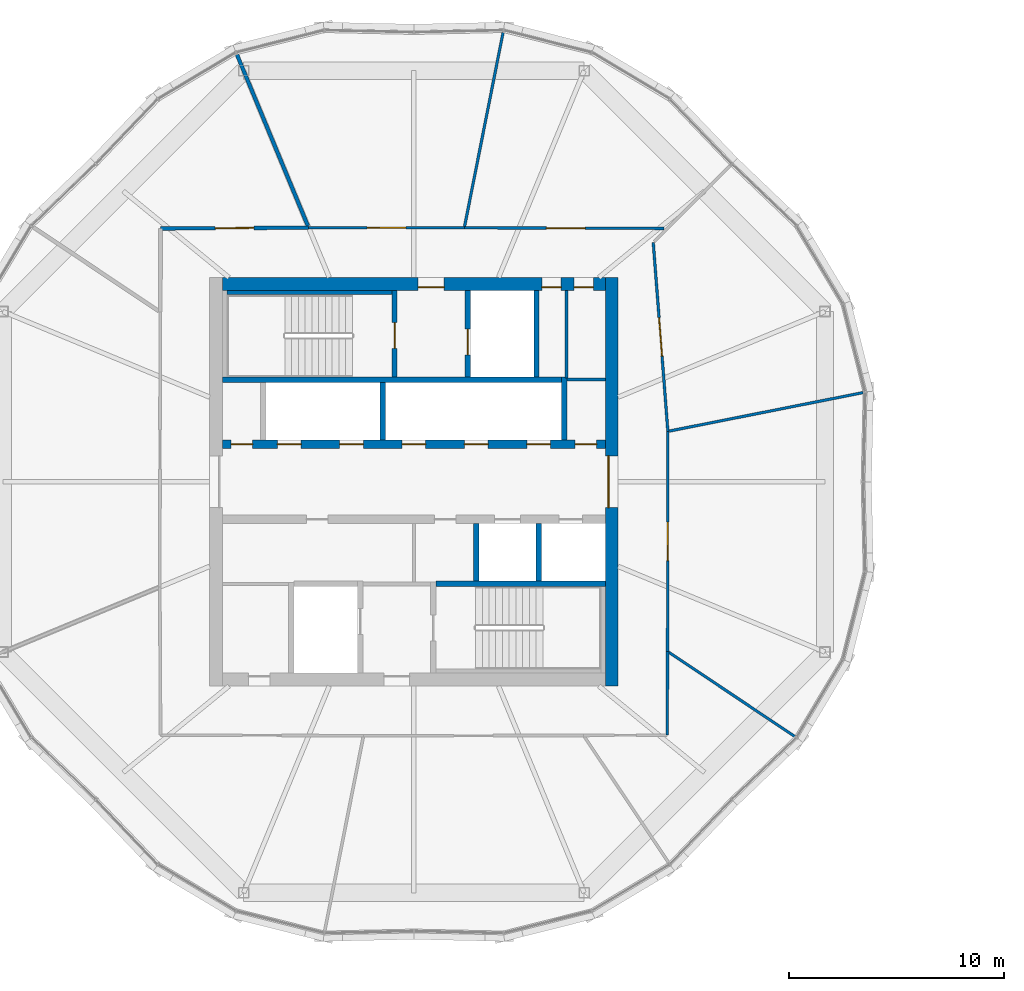
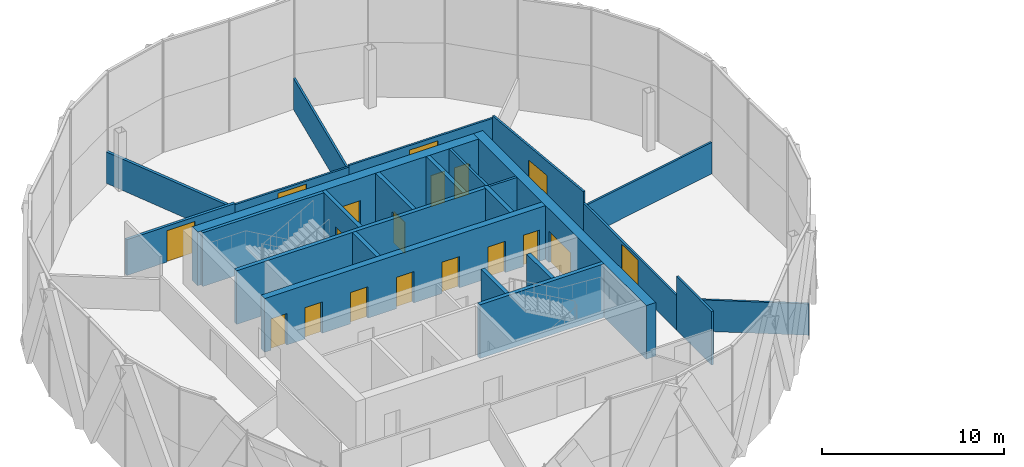
# One storey, part 19 of 26: 25 walls, 18 doors, 18 openings.
"""IFC4 building model written with IfcOpenShell, lengths in metres."""

from ifc_helpers import new_model, si_unit, direction, frame, frame_2d, origin, place, context, subcontext, project, spatial, rectangle, extrude, material, layer, layer_set, type_object, element, fill, save


model = new_model("IFC4")

# Units and contexts
model_context = context("Model", 3, precision=1e-05, world=origin(), true_north=direction((0.0, 1.0)))
body_context = subcontext(model_context, "Body", "Model", "MODEL_VIEW")
ifc_project = project(units=[si_unit("LENGTHUNIT", "METRE"), si_unit("AREAUNIT", "SQUARE_METRE"), si_unit("VOLUMEUNIT", "CUBIC_METRE"), si_unit("PLANEANGLEUNIT", "RADIAN"), si_unit("MASSUNIT", "GRAM", prefix="KILO")], contexts=[model_context])

# Site, building, storey
site_placement = place(None, origin())
site = spatial("IfcSite", under=ifc_project, at=site_placement, CompositionType="ELEMENT")
building_placement = place(site_placement, origin())
building = spatial("IfcBuilding", under=site, at=building_placement, Name="Ogive Gate Towers", CompositionType="ELEMENT")
storey_placement = place(building_placement, frame((0.0, 0.0, 208.5)))
storey = spatial("IfcBuildingStorey", under=building, at=storey_placement, Name="L50", CompositionType="ELEMENT", Elevation=208.5)

# Wall
ifc_material_1 = material(Name="Gypsum board acoustic partition")
ifc_layer_1 = layer(ifc_material_1, 0.175048828125)
ifc_layer_set_1 = layer_set([ifc_layer_1], Name="Acoustic partition 175")
wall_type_1 = type_object("IfcWallType", Name="Acoustic partition 175", PredefinedType="PARTITIONING", material=ifc_layer_set_1)
wall_1_placement = place(storey_placement, frame((-44.263427734375, 19.949462890625, 0.0), z_axis=(0.0, 0.0, 1.0), x_axis=(0.382684990013, -0.923878887311, 0.0)))
element("IfcWall", 1, at=wall_1_placement, inside=storey, type_object=wall_type_1, Name="Partition T1-L50-004", PredefinedType="PARTITIONING", context=body_context, shape_type="SweptSolid", body=[
    extrude(rectangle(XDim=8.714599609375, YDim=0.175048828125, at=frame_2d((4.357421875, 0.0))), origin(), (0.0, 0.0, 1.0), 2.10009765625),
])

# Wall, opening, door
wall_2_placement = place(storey_placement, frame((-40.89501953125, 11.8173828125, 0.0), z_axis=(0.0, 0.0, 1.0), x_axis=(-0.99998528317, -0.005425259683, 0.0)))
wall_2 = element("IfcWall", 2, at=wall_2_placement, inside=storey, type_object=wall_type_1, Name="Partition T1-L50-014", PredefinedType="PARTITIONING", context=body_context, shape_type="SweptSolid", body=[
    extrude(rectangle(XDim=6.885009765625, YDim=0.175048828125, at=frame_2d((3.4423828125, 0.0))), origin(), (0.0, 0.0, 1.0), 2.39990234375),
])
opening_1_placement = place(wall_2_placement, frame((2.54296875, 0.0, 0.0)))
opening_1 = element("IfcOpeningElement", 3, at=opening_1_placement, cuts=wall_2, Name="Opening T1-L50-D05", PredefinedType="OPENING", context=body_context, shape_type="SweptSolid", body=[
    extrude(rectangle(XDim=1.800048828125, YDim=2.10009765625, at=frame_2d((0.89990234375, 1.050048828125))), frame((0.0, 0.09765625, 0.0), z_axis=(0.0, -1.0, 0.0), x_axis=(1.0, 0.0, 0.0)), (0.0, 0.0, 1.0), 0.195068359375),
])
ifc_material_2 = material(Name="Timber door", Category="wood")
door_type_1 = type_object("IfcDoorType", Name="Door pair 1800", OperationType="NOTDEFINED", PredefinedType="DOOR", material=ifc_material_2)
door_1_placement = place(opening_1_placement, origin())
door_1 = element("IfcDoor", 4, at=door_1_placement, inside=storey, type_object=door_type_1, Name="Door T1-L50-D05", OperationType="DOUBLE_DOOR_DOUBLE_SWING", OverallHeight=2.10009765625, OverallWidth=1.800048828125, PredefinedType="DOOR", context=body_context, shape_type="SweptSolid", body=[
    extrude(rectangle(XDim=1.800048828125, YDim=2.10009765625, at=frame_2d((0.89990234375, 1.050048828125))), frame((0.0, 0.02490234375, 0.0), z_axis=(0.0, -1.0, 0.0), x_axis=(1.0, 0.0, 0.0)), (0.0, 0.0, 1.0), 0.050048828125),
])
fill(opening_1, door_1)

# Wall, openings, doors
ifc_material_3 = material(Name="Concrete C60/75", Category="concrete")
ifc_layer_2 = layer(ifc_material_3, 0.60009765625)
ifc_layer_set_2 = layer_set([ifc_layer_2], Name="Core wall 600 mm")
wall_type_2 = type_object("IfcWallType", Name="Core wall 600 mm", PredefinedType="SHEAR", material=ifc_layer_set_2)
wall_3_placement = place(storey_placement, frame((-44.89990234375, 9.199951171875, 0.0), z_axis=(0.0, 0.0, 1.0), x_axis=(1.0, 0.0, 0.0)))
wall_3 = element("IfcWall", 5, at=wall_3_placement, inside=storey, type_object=wall_type_2, Name="T1 L50 Core wall 600 mm", PredefinedType="SHEAR", context=body_context, shape_type="SweptSolid", body=[
    extrude(rectangle(XDim=17.7998046875, YDim=0.60009765625, at=frame_2d((8.89990234375, 0.0))), origin(), (0.0, 0.0, 1.0), 3.60009765625),
])
opening_2_placement = place(wall_3_placement, frame((9.10009765625, 0.0, 0.0)))
opening_2 = element("IfcOpeningElement", 6, at=opening_2_placement, cuts=wall_3, Name="Opening KD-T1-L50-18", PredefinedType="OPENING", context=body_context, shape_type="SweptSolid", body=[
    extrude(rectangle(XDim=1.199951171875, YDim=2.10009765625, at=frame_2d((0.60009765625, 1.050048828125))), frame((0.0, 0.31005859375, 0.0), z_axis=(0.0, -1.0, 0.0), x_axis=(1.0, 0.0, 0.0)), (0.0, 0.0, 1.0), 0.6201171875),
])
opening_3_placement = place(wall_3_placement, frame((14.85009765625, 0.0, 0.0)))
opening_3 = element("IfcOpeningElement", 7, at=opening_3_placement, cuts=wall_3, Name="Opening KD-T1-L50-20", PredefinedType="OPENING", context=body_context, shape_type="SweptSolid", body=[
    extrude(rectangle(XDim=0.89990234375, YDim=2.10009765625, at=frame_2d((0.449951171875, 1.050048828125))), frame((0.0, 0.31005859375, 0.0), z_axis=(0.0, -1.0, 0.0), x_axis=(1.0, 0.0, 0.0)), (0.0, 0.0, 1.0), 0.6201171875),
])
opening_4_placement = place(wall_3_placement, frame((16.35009765625, 0.0, 0.0)))
opening_4 = element("IfcOpeningElement", 8, at=opening_4_placement, cuts=wall_3, Name="Opening KD-T1-L50-21", PredefinedType="OPENING", context=body_context, shape_type="SweptSolid", body=[
    extrude(rectangle(XDim=0.89990234375, YDim=2.10009765625, at=frame_2d((0.449951171875, 1.050048828125))), frame((0.0, 0.31005859375, 0.0), z_axis=(0.0, -1.0, 0.0), x_axis=(1.0, 0.0, 0.0)), (0.0, 0.0, 1.0), 0.6201171875),
])
door_type_2 = type_object("IfcDoorType", Name="Core WC door 900 x 2100", OperationType="NOTDEFINED", PredefinedType="DOOR", material=ifc_material_2)
door_2_placement = place(opening_3_placement, origin())
door_2 = element("IfcDoor", 9, at=door_2_placement, inside=storey, type_object=door_type_2, Name="T1 L50 Core door", OperationType="SINGLE_SWING_LEFT", OverallHeight=2.10009765625, OverallWidth=0.89990234375, PredefinedType="DOOR", context=body_context, shape_type="SweptSolid", body=[
    extrude(rectangle(XDim=0.89990234375, YDim=2.10009765625, at=frame_2d((0.449951171875, 1.050048828125))), frame((0.0, -0.125, 0.0), z_axis=(0.0, -1.0, 0.0), x_axis=(1.0, 0.0, 0.0)), (0.0, 0.0, 1.0), 0.050048828125),
])
fill(opening_3, door_2)
door_3_placement = place(opening_4_placement, origin())
door_3 = element("IfcDoor", 10, at=door_3_placement, inside=storey, type_object=door_type_2, Name="T1 L50 Core door", OperationType="SINGLE_SWING_RIGHT", OverallHeight=2.10009765625, OverallWidth=0.89990234375, PredefinedType="DOOR", context=body_context, shape_type="SweptSolid", body=[
    extrude(rectangle(XDim=0.89990234375, YDim=2.10009765625, at=frame_2d((0.449951171875, 1.050048828125))), frame((0.0, -0.125, 0.0), z_axis=(0.0, -1.0, 0.0), x_axis=(1.0, 0.0, 0.0)), (0.0, 0.0, 1.0), 0.050048828125),
])
fill(opening_4, door_3)
ifc_material_4 = material(Name="Steel fire door", Category="steel")
door_type_3 = type_object("IfcDoorType", Name="Core door FD60S 1200 x 2100", OperationType="NOTDEFINED", PredefinedType="DOOR", material=ifc_material_4)
door_4_placement = place(opening_2_placement, origin())
door_4 = element("IfcDoor", 11, at=door_4_placement, inside=storey, type_object=door_type_3, Name="T1 L50 Fire-fighting lobby door", OperationType="SINGLE_SWING_LEFT", OverallHeight=2.10009765625, OverallWidth=1.199951171875, PredefinedType="DOOR", context=body_context, shape_type="SweptSolid", body=[
    extrude(rectangle(XDim=1.199951171875, YDim=2.10009765625, at=frame_2d((0.60009765625, 1.050048828125))), frame((0.0, -0.125, 0.0), z_axis=(0.0, -1.0, 0.0), x_axis=(1.0, 0.0, 0.0)), (0.0, 0.0, 1.0), 0.050048828125),
])
fill(opening_2, door_4)

# Wall, opening, door
wall_4_placement = place(storey_placement, frame((-26.800048828125, -9.5, 0.0), z_axis=(0.0, 0.0, 1.0), x_axis=(0.0, 1.0, 0.0)))
wall_4 = element("IfcWall", 12, at=wall_4_placement, inside=storey, type_object=wall_type_2, Name="T1 L50 Core wall 600 mm", PredefinedType="SHEAR", context=body_context, shape_type="SweptSolid", body=[
    extrude(rectangle(XDim=19.0, YDim=0.60009765625, at=frame_2d((9.5, 0.0))), origin(), (0.0, 0.0, 1.0), 3.60009765625),
])
opening_5_placement = place(wall_4_placement, frame((8.300048828125, 0.0, 0.0)))
opening_5 = element("IfcOpeningElement", 13, at=opening_5_placement, cuts=wall_4, Name="Opening KD-T1-L50-02", PredefinedType="OPENING", context=body_context, shape_type="SweptSolid", body=[
    extrude(rectangle(XDim=2.39990234375, YDim=2.10009765625, at=frame_2d((1.199951171875, 1.050048828125))), frame((0.0, 0.31005859375, 0.0), z_axis=(0.0, -1.0, 0.0), x_axis=(1.0, 0.0, 0.0)), (0.0, 0.0, 1.0), 0.6201171875),
])
door_type_4 = type_object("IfcDoorType", Name="Core double door FD60S 2400 x 2100", OperationType="DOUBLE_DOOR_SINGLE_SWING", PredefinedType="DOOR", material=ifc_material_4)
door_5_placement = place(opening_5_placement, origin())
door_5 = element("IfcDoor", 14, at=door_5_placement, inside=storey, type_object=door_type_4, Name="T1 L50 Core door double", OperationType="DOUBLE_DOOR_SINGLE_SWING", OverallHeight=2.10009765625, OverallWidth=2.39990234375, PredefinedType="DOOR", context=body_context, shape_type="SweptSolid", body=[
    extrude(rectangle(XDim=2.39990234375, YDim=2.10009765625, at=frame_2d((1.199951171875, 1.050048828125))), frame((0.0, 0.1748046875, 0.0), z_axis=(0.0, -1.0, 0.0), x_axis=(1.0, 0.0, 0.0)), (0.0, 0.0, 1.0), 0.050048828125),
])
fill(opening_5, door_5)

# Walls
ifc_material_5 = material(Name="Gypsum board partition")
ifc_layer_3 = layer(ifc_material_5, 0.125)
ifc_layer_set_3 = layer_set([ifc_layer_3], Name="Partition 125")
wall_type_3 = type_object("IfcWallType", Name="Partition 125", PredefinedType="PARTITIONING", material=ifc_layer_set_3)
for number, where, z_axis, x_axis, name in (
    (15, (-15.108154296875, 4.147216796875, 0.0), (0.0, 0.0, 1.0), (-0.980858428696, -0.194722219727, 0.0), "Partition T1-L50-001"),
    (16, (-31.852783203125, 20.891845703125, 0.0), (0.0, 0.0, 1.0), (-0.194722219727, -0.980858428696, 0.0), "Partition T1-L50-003"),
):
    element("IfcWall", number, at=place(storey_placement, frame(where, z_axis=z_axis, x_axis=x_axis)), inside=storey, type_object=wall_type_3, Name=name, PredefinedType="PARTITIONING", context=body_context, shape_type="SweptSolid", body=[
        extrude(rectangle(XDim=9.196533203125, YDim=0.125, at=frame_2d((4.59814453125, 0.0))), origin(), (0.0, 0.0, 1.0), 2.10009765625),
    ])
wall_5_placement = place(storey_placement, frame((-18.18896484375, -11.9111328125, 0.0), z_axis=(0.0, 0.0, 1.0), x_axis=(-0.831237865439, 0.555916910213, 0.0)))
element("IfcWall", 17, at=wall_5_placement, inside=storey, type_object=wall_type_3, Name="Partition T1-L50-009", PredefinedType="PARTITIONING", context=body_context, shape_type="SweptSolid", body=[
    extrude(rectangle(XDim=7.173828125, YDim=0.125, at=frame_2d((3.5869140625, 0.0))), origin(), (0.0, 0.0, 1.0), 2.10009765625),
])

# Wall, opening, door
wall_6_placement = place(storey_placement, frame((-24.2041015625, -7.888427734375, 0.0), z_axis=(0.0, 0.0, 1.0), x_axis=(0.001383784522, 0.99999904257, 0.0)))
wall_6 = element("IfcWall", 18, at=wall_6_placement, inside=storey, type_object=wall_type_3, Name="Partition T1-L50-010", PredefinedType="PARTITIONING", context=body_context, shape_type="SweptSolid", body=[
    extrude(rectangle(XDim=10.23291015625, YDim=0.125, at=frame_2d((5.116455078125, 0.0))), origin(), (0.0, 0.0, 1.0), 2.300048828125),
])
opening_6_placement = place(wall_6_placement, frame((4.216064453125, 0.0, 0.0)))
opening_6 = element("IfcOpeningElement", 19, at=opening_6_placement, cuts=wall_6, Name="Opening T1-L50-D01", PredefinedType="OPENING", context=body_context, shape_type="SweptSolid", body=[
    extrude(rectangle(XDim=1.800048828125, YDim=2.10009765625, at=frame_2d((0.89990234375, 1.050048828125))), frame((0.0, 0.072509765625, 0.0), z_axis=(0.0, -1.0, 0.0), x_axis=(1.0, 0.0, 0.0)), (0.0, 0.0, 1.0), 0.14501953125),
])
door_6_placement = place(opening_6_placement, origin())
door_6 = element("IfcDoor", 20, at=door_6_placement, inside=storey, type_object=door_type_1, Name="Door T1-L50-D01", OperationType="DOUBLE_DOOR_DOUBLE_SWING", OverallHeight=2.10009765625, OverallWidth=1.800048828125, PredefinedType="DOOR", context=body_context, shape_type="SweptSolid", body=[
    extrude(rectangle(XDim=1.800048828125, YDim=2.10009765625, at=frame_2d((0.89990234375, 1.050048828125))), frame((0.0, 0.02490234375, 0.0), z_axis=(0.0, -1.0, 0.0), x_axis=(1.0, 0.0, 0.0)), (0.0, 0.0, 1.0), 0.050048828125),
])
fill(opening_6, door_6)

wall_7_placement = place(storey_placement, frame((-24.18994140625, 2.344482421875, 0.0), z_axis=(0.0, 0.0, 1.0), x_axis=(-0.077190153125, 0.997016389163, 0.0)))
wall_7 = element("IfcWall", 21, at=wall_7_placement, inside=storey, type_object=wall_type_3, Name="Partition T1-L50-011", PredefinedType="PARTITIONING", context=body_context, shape_type="SweptSolid", body=[
    extrude(rectangle(XDim=8.811767578125, YDim=0.125, at=frame_2d((4.40576171875, 0.0))), origin(), (0.0, 0.0, 1.0), 3.050048828125),
])
opening_7_placement = place(wall_7_placement, frame((3.506103515625, 0.0, 0.0)))
opening_7 = element("IfcOpeningElement", 22, at=opening_7_placement, cuts=wall_7, Name="Opening T1-L50-D02", PredefinedType="OPENING", context=body_context, shape_type="SweptSolid", body=[
    extrude(rectangle(XDim=1.800048828125, YDim=2.10009765625, at=frame_2d((0.89990234375, 1.050048828125))), frame((0.0, 0.072509765625, 0.0), z_axis=(0.0, -1.0, 0.0), x_axis=(1.0, 0.0, 0.0)), (0.0, 0.0, 1.0), 0.14501953125),
])
door_7_placement = place(opening_7_placement, origin())
door_7 = element("IfcDoor", 23, at=door_7_placement, inside=storey, type_object=door_type_1, Name="Door T1-L50-D02", OperationType="DOUBLE_DOOR_DOUBLE_SWING", OverallHeight=2.10009765625, OverallWidth=1.800048828125, PredefinedType="DOOR", context=body_context, shape_type="SweptSolid", body=[
    extrude(rectangle(XDim=1.800048828125, YDim=2.10009765625, at=frame_2d((0.89990234375, 1.050048828125))), frame((0.0, 0.02490234375, 0.0), z_axis=(0.0, -1.0, 0.0), x_axis=(1.0, 0.0, 0.0)), (0.0, 0.0, 1.0), 0.050048828125),
])
fill(opening_7, door_7)

wall_8_placement = place(storey_placement, frame((-24.380126953125, 11.780517578125, 0.0), z_axis=(0.0, 0.0, 1.0), x_axis=(-0.999994928305, 0.003184864875, 0.0)))
wall_8 = element("IfcWall", 24, at=wall_8_placement, inside=storey, type_object=wall_type_3, Name="Partition T1-L50-012", PredefinedType="PARTITIONING", context=body_context, shape_type="SweptSolid", body=[
    extrude(rectangle(XDim=9.275390625, YDim=0.125, at=frame_2d((4.6376953125, 0.0))), origin(), (0.0, 0.0, 1.0), 2.39990234375),
])
opening_8_placement = place(wall_8_placement, frame((3.657958984375, 0.0, 0.0)))
opening_8 = element("IfcOpeningElement", 25, at=opening_8_placement, cuts=wall_8, Name="Opening T1-L50-D03", PredefinedType="OPENING", context=body_context, shape_type="SweptSolid", body=[
    extrude(rectangle(XDim=1.800048828125, YDim=2.10009765625, at=frame_2d((0.89990234375, 1.050048828125))), frame((0.0, 0.072509765625, 0.0), z_axis=(0.0, -1.0, 0.0), x_axis=(1.0, 0.0, 0.0)), (0.0, 0.0, 1.0), 0.14501953125),
])
door_8_placement = place(opening_8_placement, origin())
door_8 = element("IfcDoor", 26, at=door_8_placement, inside=storey, type_object=door_type_1, Name="Door T1-L50-D03", OperationType="DOUBLE_DOOR_DOUBLE_SWING", OverallHeight=2.10009765625, OverallWidth=1.800048828125, PredefinedType="DOOR", context=body_context, shape_type="SweptSolid", body=[
    extrude(rectangle(XDim=1.800048828125, YDim=2.10009765625, at=frame_2d((0.89990234375, 1.050048828125))), frame((0.0, 0.02490234375, 0.0), z_axis=(0.0, -1.0, 0.0), x_axis=(1.0, 0.0, 0.0)), (0.0, 0.0, 1.0), 0.050048828125),
])
fill(opening_8, door_8)

wall_9_placement = place(storey_placement, frame((-33.655517578125, 11.81005859375, 0.0), z_axis=(0.0, 0.0, 1.0), x_axis=(-0.99999948823, 0.001011701502, 0.0)))
wall_9 = element("IfcWall", 27, at=wall_9_placement, inside=storey, type_object=wall_type_3, Name="Partition T1-L50-013", PredefinedType="PARTITIONING", context=body_context, shape_type="SweptSolid", body=[
    extrude(rectangle(XDim=7.239501953125, YDim=0.125, at=frame_2d((3.61962890625, 0.0))), origin(), (0.0, 0.0, 1.0), 2.300048828125),
])
opening_9_placement = place(wall_9_placement, frame((2.719970703125, 0.0, 0.0)))
opening_9 = element("IfcOpeningElement", 28, at=opening_9_placement, cuts=wall_9, Name="Opening T1-L50-D04", PredefinedType="OPENING", context=body_context, shape_type="SweptSolid", body=[
    extrude(rectangle(XDim=1.800048828125, YDim=2.10009765625, at=frame_2d((0.89990234375, 1.050048828125))), frame((0.0, 0.072509765625, 0.0), z_axis=(0.0, -1.0, 0.0), x_axis=(1.0, 0.0, 0.0)), (0.0, 0.0, 1.0), 0.14501953125),
])
door_9_placement = place(opening_9_placement, origin())
door_9 = element("IfcDoor", 29, at=door_9_placement, inside=storey, type_object=door_type_1, Name="Door T1-L50-D04", OperationType="DOUBLE_DOOR_DOUBLE_SWING", OverallHeight=2.10009765625, OverallWidth=1.800048828125, PredefinedType="DOOR", context=body_context, shape_type="SweptSolid", body=[
    extrude(rectangle(XDim=1.800048828125, YDim=2.10009765625, at=frame_2d((0.89990234375, 1.050048828125))), frame((0.0, 0.02490234375, 0.0), z_axis=(0.0, -1.0, 0.0), x_axis=(1.0, 0.0, 0.0)), (0.0, 0.0, 1.0), 0.050048828125),
])
fill(opening_9, door_9)

# Walls
wall_10_placement = place(storey_placement, frame((-24.219970703125, -11.780029296875, 0.0), z_axis=(0.0, 0.0, 1.0), x_axis=(0.004077757816, 0.999991685911, 0.0)))
element("IfcWall", 30, at=wall_10_placement, inside=storey, type_object=wall_type_3, Name="Partition T1-L50-021", PredefinedType="PARTITIONING", context=body_context, shape_type="SweptSolid", body=[
    extrude(rectangle(XDim=3.8916015625, YDim=0.125, at=frame_2d((1.94580078125, 0.0))), origin(), (0.0, 0.0, 1.0), 3.60009765625),
])
ifc_layer_4 = layer(ifc_material_5, 0.14990234375)
ifc_layer_set_4 = layer_set([ifc_layer_4], Name="Room partition 150 mm")
wall_type_4 = type_object("IfcWallType", Name="Room partition 150 mm", PredefinedType="PARTITIONING", material=ifc_layer_set_4)
wall_11_placement = place(storey_placement, frame((-28.875, 4.75, 0.0), z_axis=(0.0, 0.0, 1.0), x_axis=(1.0, 0.0, 0.0)))
element("IfcWall", 31, at=wall_11_placement, inside=storey, type_object=wall_type_4, Name="T1 L50 Room partition 150 mm", PredefinedType="PARTITIONING", context=body_context, shape_type="SweptSolid", body=[
    extrude(rectangle(XDim=1.77490234375, YDim=0.14990234375, at=frame_2d((0.887451171875, 0.0))), origin(), (0.0, 0.0, 1.0), 3.60009765625),
])
wall_12_placement = place(storey_placement, frame((-28.89990234375, 4.824951171875, 0.0), z_axis=(0.0, 0.0, 1.0), x_axis=(0.0, 1.0, 0.0)))
element("IfcWall", 32, at=wall_12_placement, inside=storey, type_object=wall_type_4, Name="T1 L50 Room partition 150 mm", PredefinedType="PARTITIONING", context=body_context, shape_type="SweptSolid", body=[
    extrude(rectangle(XDim=4.074951171875, YDim=0.14990234375, at=frame_2d((2.03759765625, 0.0))), origin(), (0.0, 0.0, 1.0), 3.60009765625),
])
ifc_layer_5 = layer(ifc_material_3, 0.25)
ifc_layer_set_5 = layer_set([ifc_layer_5], Name="Shaft wall 250 mm")
wall_type_5 = type_object("IfcWallType", Name="Shaft wall 250 mm", PredefinedType="SHEAR", material=ifc_layer_set_5)
wall_13_placement = place(storey_placement, frame((-34.97509765625, -4.75, 0.0), z_axis=(0.0, 0.0, 1.0), x_axis=(1.0, 0.0, 0.0)))
element("IfcWall", 33, at=wall_13_placement, inside=storey, type_object=wall_type_5, Name="T1 L50 Shaft wall 250 mm", PredefinedType="SHEAR", context=body_context, shape_type="SweptSolid", body=[
    extrude(rectangle(XDim=7.875, YDim=0.25, at=frame_2d((3.9375, 0.0))), origin(), (0.0, 0.0, 1.0), 3.60009765625),
])
wall_14_placement = place(storey_placement, frame((-44.89990234375, 4.75, 0.0), z_axis=(0.0, 0.0, 1.0), x_axis=(1.0, 0.0, 0.0)))
element("IfcWall", 34, at=wall_14_placement, inside=storey, type_object=wall_type_5, Name="T1 L50 Shaft wall 250 mm", PredefinedType="SHEAR", context=body_context, shape_type="SweptSolid", body=[
    extrude(rectangle(XDim=15.77490234375, YDim=0.25, at=frame_2d((7.887451171875, 0.0))), origin(), (0.0, 0.0, 1.0), 3.60009765625),
])
wall_15_placement = place(storey_placement, frame((-37.449951171875, 1.949951171875, 0.0), z_axis=(0.0, 0.0, 1.0), x_axis=(0.0, 1.0, 0.0)))
element("IfcWall", 35, at=wall_15_placement, inside=storey, type_object=wall_type_5, Name="T1 L50 Shaft wall 250 mm", PredefinedType="SHEAR", context=body_context, shape_type="SweptSolid", body=[
    extrude(rectangle(XDim=2.675048828125, YDim=0.25, at=frame_2d((1.33740234375, 0.0))), origin(), (0.0, 0.0, 1.0), 3.60009765625),
])

# Wall, opening, door
wall_16_placement = place(storey_placement, frame((-36.89990234375, 4.875, 0.0), z_axis=(0.0, 0.0, 1.0), x_axis=(0.0, 1.0, 0.0)))
wall_16 = element("IfcWall", 36, at=wall_16_placement, inside=storey, type_object=wall_type_5, Name="T1 L50 Shaft wall 250 mm", PredefinedType="SHEAR", context=body_context, shape_type="SweptSolid", body=[
    extrude(rectangle(XDim=4.02490234375, YDim=0.25, at=frame_2d((2.012451171875, 0.0))), origin(), (0.0, 0.0, 1.0), 3.60009765625),
])
opening_10_placement = place(wall_16_placement, frame((1.324951171875, 0.0, 0.0)))
opening_10 = element("IfcOpeningElement", 37, at=opening_10_placement, cuts=wall_16, Name="Opening KD-T1-L50-16", PredefinedType="OPENING", context=body_context, shape_type="SweptSolid", body=[
    extrude(rectangle(XDim=1.199951171875, YDim=2.10009765625, at=frame_2d((0.60009765625, 1.050048828125))), frame((0.0, 0.135009765625, 0.0), z_axis=(0.0, -1.0, 0.0), x_axis=(1.0, 0.0, 0.0)), (0.0, 0.0, 1.0), 0.27001953125),
])
door_10_placement = place(opening_10_placement, origin())
door_10 = element("IfcDoor", 38, at=door_10_placement, inside=storey, type_object=door_type_3, Name="T1 L50 Stair door", OperationType="SINGLE_SWING_LEFT", OverallHeight=2.10009765625, OverallWidth=1.199951171875, PredefinedType="DOOR", context=body_context, shape_type="SweptSolid", body=[
    extrude(rectangle(XDim=1.199951171875, YDim=2.10009765625, at=frame_2d((0.60009765625, 1.050048828125))), frame((0.0, 0.02490234375, 0.0), z_axis=(0.0, -1.0, 0.0), x_axis=(1.0, 0.0, 0.0)), (0.0, 0.0, 1.0), 0.050048828125),
])
fill(opening_10, door_10)

wall_17_placement = place(storey_placement, frame((-33.5, 4.875, 0.0), z_axis=(0.0, 0.0, 1.0), x_axis=(0.0, 1.0, 0.0)))
wall_17 = element("IfcWall", 39, at=wall_17_placement, inside=storey, type_object=wall_type_5, Name="T1 L50 Shaft wall 250 mm", PredefinedType="SHEAR", context=body_context, shape_type="SweptSolid", body=[
    extrude(rectangle(XDim=4.02490234375, YDim=0.25, at=frame_2d((2.012451171875, 0.0))), origin(), (0.0, 0.0, 1.0), 3.60009765625),
])
opening_11_placement = place(wall_17_placement, frame((1.02490234375, 0.0, 0.0)))
opening_11 = element("IfcOpeningElement", 40, at=opening_11_placement, cuts=wall_17, Name="Opening LD-T1-L50-12", PredefinedType="OPENING", context=body_context, shape_type="SweptSolid", body=[
    extrude(rectangle(XDim=1.199951171875, YDim=2.10009765625, at=frame_2d((0.60009765625, 1.050048828125))), frame((0.0, 0.135009765625, 0.0), z_axis=(0.0, -1.0, 0.0), x_axis=(1.0, 0.0, 0.0)), (0.0, 0.0, 1.0), 0.27001953125),
])
ifc_material_6 = material(Name="Stainless steel landing door", Category="steel")
door_type_5 = type_object("IfcDoorType", Name="Landing door 1200 x 2100", OperationType="SLIDING_TO_LEFT", PredefinedType="DOOR", material=ifc_material_6)
door_11_placement = place(opening_11_placement, origin())
door_11 = element("IfcDoor", 41, at=door_11_placement, inside=storey, type_object=door_type_5, Name="T1 L50 Lift landing door FF1", OperationType="SLIDING_TO_LEFT", OverallHeight=2.10009765625, OverallWidth=1.199951171875, PredefinedType="DOOR", context=body_context, shape_type="SweptSolid", body=[
    extrude(rectangle(XDim=1.199951171875, YDim=2.10009765625, at=frame_2d((0.60009765625, 1.050048828125))), frame((0.0, 0.02490234375, 0.0), z_axis=(0.0, -1.0, 0.0), x_axis=(1.0, 0.0, 0.0)), (0.0, 0.0, 1.0), 0.050048828125),
])
fill(opening_11, door_11)

# Walls
wall_18_placement = place(storey_placement, frame((-33.10009765625, -4.625, 0.0), z_axis=(0.0, 0.0, 1.0), x_axis=(0.0, 1.0, 0.0)))
element("IfcWall", 42, at=wall_18_placement, inside=storey, type_object=wall_type_5, Name="T1 L50 Shaft wall 250 mm", PredefinedType="SHEAR", context=body_context, shape_type="SweptSolid", body=[
    extrude(rectangle(XDim=2.675048828125, YDim=0.25, at=frame_2d((1.33740234375, 0.0))), origin(), (0.0, 0.0, 1.0), 3.60009765625),
])
wall_19_placement = place(storey_placement, frame((-30.300048828125, 4.875, 0.0), z_axis=(0.0, 0.0, 1.0), x_axis=(0.0, 1.0, 0.0)))
element("IfcWall", 43, at=wall_19_placement, inside=storey, type_object=wall_type_5, Name="T1 L50 Shaft wall 250 mm", PredefinedType="SHEAR", context=body_context, shape_type="SweptSolid", body=[
    extrude(rectangle(XDim=4.02490234375, YDim=0.25, at=frame_2d((2.012451171875, 0.0))), origin(), (0.0, 0.0, 1.0), 3.60009765625),
])
wall_20_placement = place(storey_placement, frame((-30.199951171875, -4.625, 0.0), z_axis=(0.0, 0.0, 1.0), x_axis=(0.0, 1.0, 0.0)))
element("IfcWall", 44, at=wall_20_placement, inside=storey, type_object=wall_type_5, Name="T1 L50 Shaft wall 250 mm", PredefinedType="SHEAR", context=body_context, shape_type="SweptSolid", body=[
    extrude(rectangle(XDim=2.675048828125, YDim=0.25, at=frame_2d((1.33740234375, 0.0))), origin(), (0.0, 0.0, 1.0), 3.60009765625),
])
wall_21_placement = place(storey_placement, frame((-29.0, 1.949951171875, 0.0), z_axis=(0.0, 0.0, 1.0), x_axis=(0.0, 1.0, 0.0)))
element("IfcWall", 45, at=wall_21_placement, inside=storey, type_object=wall_type_5, Name="T1 L50 Shaft wall 250 mm", PredefinedType="SHEAR", context=body_context, shape_type="SweptSolid", body=[
    extrude(rectangle(XDim=2.925048828125, YDim=0.25, at=frame_2d((1.46240234375, 0.0))), origin(), (0.0, 0.0, 1.0), 3.60009765625),
])

# Wall, openings, doors
ifc_layer_6 = layer(ifc_material_3, 0.39990234375)
ifc_layer_set_6 = layer_set([ifc_layer_6], Name="Spine wall 400 mm")
wall_type_6 = type_object("IfcWallType", Name="Spine wall 400 mm", PredefinedType="SHEAR", material=ifc_layer_set_6)
wall_22_placement = place(storey_placement, frame((-44.89990234375, 1.75, 0.0), z_axis=(0.0, 0.0, 1.0), x_axis=(1.0, 0.0, 0.0)))
wall_22 = element("IfcWall", 46, at=wall_22_placement, inside=storey, type_object=wall_type_6, Name="T1 L50 Spine wall 400 mm", PredefinedType="SHEAR", context=body_context, shape_type="SweptSolid", body=[
    extrude(rectangle(XDim=17.7998046875, YDim=0.39990234375, at=frame_2d((8.89990234375, 0.0))), origin(), (0.0, 0.0, 1.0), 3.60009765625),
])
opening_12_placement = place(wall_22_placement, frame((0.39990234375, 0.0, 0.0)))
opening_12 = element("IfcOpeningElement", 47, at=opening_12_placement, cuts=wall_22, Name="Opening KD-T1-L50-03", PredefinedType="OPENING", context=body_context, shape_type="SweptSolid", body=[
    extrude(rectangle(XDim=1.0, YDim=2.10009765625, at=frame_2d((0.5, 1.050048828125))), frame((0.0, 0.2099609375, 0.0), z_axis=(0.0, -1.0, 0.0), x_axis=(1.0, 0.0, 0.0)), (0.0, 0.0, 1.0), 0.419921875),
])
opening_13_placement = place(wall_22_placement, frame((2.550048828125, 0.0, 0.0)))
opening_13 = element("IfcOpeningElement", 48, at=opening_13_placement, cuts=wall_22, Name="Opening LD-T1-L50-04", PredefinedType="OPENING", context=body_context, shape_type="SweptSolid", body=[
    extrude(rectangle(XDim=1.10009765625, YDim=2.10009765625, at=frame_2d((0.550048828125, 1.050048828125))), frame((0.0, 0.2099609375, 0.0), z_axis=(0.0, -1.0, 0.0), x_axis=(1.0, 0.0, 0.0)), (0.0, 0.0, 1.0), 0.419921875),
])
opening_14_placement = place(wall_22_placement, frame((5.449951171875, 0.0, 0.0)))
opening_14 = element("IfcOpeningElement", 49, at=opening_14_placement, cuts=wall_22, Name="Opening LD-T1-L50-05", PredefinedType="OPENING", context=body_context, shape_type="SweptSolid", body=[
    extrude(rectangle(XDim=1.10009765625, YDim=2.10009765625, at=frame_2d((0.550048828125, 1.050048828125))), frame((0.0, 0.2099609375, 0.0), z_axis=(0.0, -1.0, 0.0), x_axis=(1.0, 0.0, 0.0)), (0.0, 0.0, 1.0), 0.419921875),
])
opening_15_placement = place(wall_22_placement, frame((8.35009765625, 0.0, 0.0)))
opening_15 = element("IfcOpeningElement", 50, at=opening_15_placement, cuts=wall_22, Name="Opening LD-T1-L50-06", PredefinedType="OPENING", context=body_context, shape_type="SweptSolid", body=[
    extrude(rectangle(XDim=1.10009765625, YDim=2.10009765625, at=frame_2d((0.550048828125, 1.050048828125))), frame((0.0, 0.2099609375, 0.0), z_axis=(0.0, -1.0, 0.0), x_axis=(1.0, 0.0, 0.0)), (0.0, 0.0, 1.0), 0.419921875),
])
opening_16_placement = place(wall_22_placement, frame((11.25, 0.0, 0.0)))
opening_16 = element("IfcOpeningElement", 51, at=opening_16_placement, cuts=wall_22, Name="Opening LD-T1-L50-07", PredefinedType="OPENING", context=body_context, shape_type="SweptSolid", body=[
    extrude(rectangle(XDim=1.10009765625, YDim=2.10009765625, at=frame_2d((0.550048828125, 1.050048828125))), frame((0.0, 0.2099609375, 0.0), z_axis=(0.0, -1.0, 0.0), x_axis=(1.0, 0.0, 0.0)), (0.0, 0.0, 1.0), 0.419921875),
])
opening_17_placement = place(wall_22_placement, frame((14.14990234375, 0.0, 0.0)))
opening_17 = element("IfcOpeningElement", 52, at=opening_17_placement, cuts=wall_22, Name="Opening LD-T1-L50-08", PredefinedType="OPENING", context=body_context, shape_type="SweptSolid", body=[
    extrude(rectangle(XDim=1.10009765625, YDim=2.10009765625, at=frame_2d((0.550048828125, 1.050048828125))), frame((0.0, 0.2099609375, 0.0), z_axis=(0.0, -1.0, 0.0), x_axis=(1.0, 0.0, 0.0)), (0.0, 0.0, 1.0), 0.419921875),
])
opening_18_placement = place(wall_22_placement, frame((16.39990234375, 0.0, 0.0)))
opening_18 = element("IfcOpeningElement", 53, at=opening_18_placement, cuts=wall_22, Name="Opening KD-T1-L50-09", PredefinedType="OPENING", context=body_context, shape_type="SweptSolid", body=[
    extrude(rectangle(XDim=1.0, YDim=2.10009765625, at=frame_2d((0.5, 1.050048828125))), frame((0.0, 0.2099609375, 0.0), z_axis=(0.0, -1.0, 0.0), x_axis=(1.0, 0.0, 0.0)), (0.0, 0.0, 1.0), 0.419921875),
])
door_type_6 = type_object("IfcDoorType", Name="Core door FD60S 1000 x 2100", OperationType="NOTDEFINED", PredefinedType="DOOR", material=ifc_material_4)
door_12_placement = place(opening_12_placement, origin())
door_12 = element("IfcDoor", 54, at=door_12_placement, inside=storey, type_object=door_type_6, Name="T1 L50 Core door", OperationType="SINGLE_SWING_RIGHT", OverallHeight=2.10009765625, OverallWidth=1.0, PredefinedType="DOOR", context=body_context, shape_type="SweptSolid", body=[
    extrude(rectangle(XDim=1.0, YDim=2.10009765625, at=frame_2d((0.5, 1.050048828125))), frame((0.0, 0.02490234375, 0.0), z_axis=(0.0, -1.0, 0.0), x_axis=(1.0, 0.0, 0.0)), (0.0, 0.0, 1.0), 0.050048828125),
])
fill(opening_12, door_12)
door_13_placement = place(opening_18_placement, origin())
door_13 = element("IfcDoor", 55, at=door_13_placement, inside=storey, type_object=door_type_6, Name="T1 L50 Core door", OperationType="SINGLE_SWING_RIGHT", OverallHeight=2.10009765625, OverallWidth=1.0, PredefinedType="DOOR", context=body_context, shape_type="SweptSolid", body=[
    extrude(rectangle(XDim=1.0, YDim=2.10009765625, at=frame_2d((0.5, 1.050048828125))), frame((0.0, 0.02490234375, 0.0), z_axis=(0.0, -1.0, 0.0), x_axis=(1.0, 0.0, 0.0)), (0.0, 0.0, 1.0), 0.050048828125),
])
fill(opening_18, door_13)
door_type_7 = type_object("IfcDoorType", Name="Landing door 1100 x 2100", OperationType="SLIDING_TO_LEFT", PredefinedType="DOOR", material=ifc_material_6)
door_14_placement = place(opening_13_placement, origin())
door_14 = element("IfcDoor", 56, at=door_14_placement, inside=storey, type_object=door_type_7, Name="T1 L50 Lift landing door B1", OperationType="SLIDING_TO_LEFT", OverallHeight=2.10009765625, OverallWidth=1.10009765625, PredefinedType="DOOR", context=body_context, shape_type="SweptSolid", body=[
    extrude(rectangle(XDim=1.10009765625, YDim=2.10009765625, at=frame_2d((0.550048828125, 1.050048828125))), frame((0.0, 0.02490234375, 0.0), z_axis=(0.0, -1.0, 0.0), x_axis=(1.0, 0.0, 0.0)), (0.0, 0.0, 1.0), 0.050048828125),
])
fill(opening_13, door_14)
door_15_placement = place(opening_14_placement, origin())
door_15 = element("IfcDoor", 57, at=door_15_placement, inside=storey, type_object=door_type_7, Name="T1 L50 Lift landing door B2", OperationType="SLIDING_TO_LEFT", OverallHeight=2.10009765625, OverallWidth=1.10009765625, PredefinedType="DOOR", context=body_context, shape_type="SweptSolid", body=[
    extrude(rectangle(XDim=1.10009765625, YDim=2.10009765625, at=frame_2d((0.550048828125, 1.050048828125))), frame((0.0, 0.02490234375, 0.0), z_axis=(0.0, -1.0, 0.0), x_axis=(1.0, 0.0, 0.0)), (0.0, 0.0, 1.0), 0.050048828125),
])
fill(opening_14, door_15)
door_16_placement = place(opening_15_placement, origin())
door_16 = element("IfcDoor", 58, at=door_16_placement, inside=storey, type_object=door_type_7, Name="T1 L50 Lift landing door B3", OperationType="SLIDING_TO_LEFT", OverallHeight=2.10009765625, OverallWidth=1.10009765625, PredefinedType="DOOR", context=body_context, shape_type="SweptSolid", body=[
    extrude(rectangle(XDim=1.10009765625, YDim=2.10009765625, at=frame_2d((0.550048828125, 1.050048828125))), frame((0.0, 0.02490234375, 0.0), z_axis=(0.0, -1.0, 0.0), x_axis=(1.0, 0.0, 0.0)), (0.0, 0.0, 1.0), 0.050048828125),
])
fill(opening_15, door_16)
door_17_placement = place(opening_16_placement, origin())
door_17 = element("IfcDoor", 59, at=door_17_placement, inside=storey, type_object=door_type_7, Name="T1 L50 Lift landing door B4", OperationType="SLIDING_TO_LEFT", OverallHeight=2.10009765625, OverallWidth=1.10009765625, PredefinedType="DOOR", context=body_context, shape_type="SweptSolid", body=[
    extrude(rectangle(XDim=1.10009765625, YDim=2.10009765625, at=frame_2d((0.550048828125, 1.050048828125))), frame((0.0, 0.02490234375, 0.0), z_axis=(0.0, -1.0, 0.0), x_axis=(1.0, 0.0, 0.0)), (0.0, 0.0, 1.0), 0.050048828125),
])
fill(opening_16, door_17)
door_18_placement = place(opening_17_placement, origin())
door_18 = element("IfcDoor", 60, at=door_18_placement, inside=storey, type_object=door_type_7, Name="T1 L50 Lift landing door B5", OperationType="SLIDING_TO_LEFT", OverallHeight=2.10009765625, OverallWidth=1.10009765625, PredefinedType="DOOR", context=body_context, shape_type="SweptSolid", body=[
    extrude(rectangle(XDim=1.10009765625, YDim=2.10009765625, at=frame_2d((0.550048828125, 1.050048828125))), frame((0.0, 0.02490234375, 0.0), z_axis=(0.0, -1.0, 0.0), x_axis=(1.0, 0.0, 0.0)), (0.0, 0.0, 1.0), 0.050048828125),
])
fill(opening_17, door_18)

# Wall
ifc_layer_7 = layer(ifc_material_3, 0.199951171875)
ifc_layer_set_7 = layer_set([ifc_layer_7], Name="Stair wall 200 mm")
wall_type_7 = type_object("IfcWallType", Name="Stair wall 200 mm", PredefinedType="SHEAR", material=ifc_layer_set_7)
wall_23_placement = place(storey_placement, frame((-44.699951171875, 8.800048828125, 0.0), z_axis=(0.0, 0.0, 1.0), x_axis=(1.0, 0.0, 0.0)))
element("IfcWall", 61, at=wall_23_placement, inside=storey, type_object=wall_type_7, Name="T1 L50 Stair wall 200 mm", PredefinedType="SHEAR", context=body_context, shape_type="SweptSolid", body=[
    extrude(rectangle(XDim=7.675048828125, YDim=0.199951171875, at=frame_2d((3.83740234375, 0.0))), origin(), (0.0, 0.0, 1.0), 3.60009765625),
])

save(model, "model.ifc")
